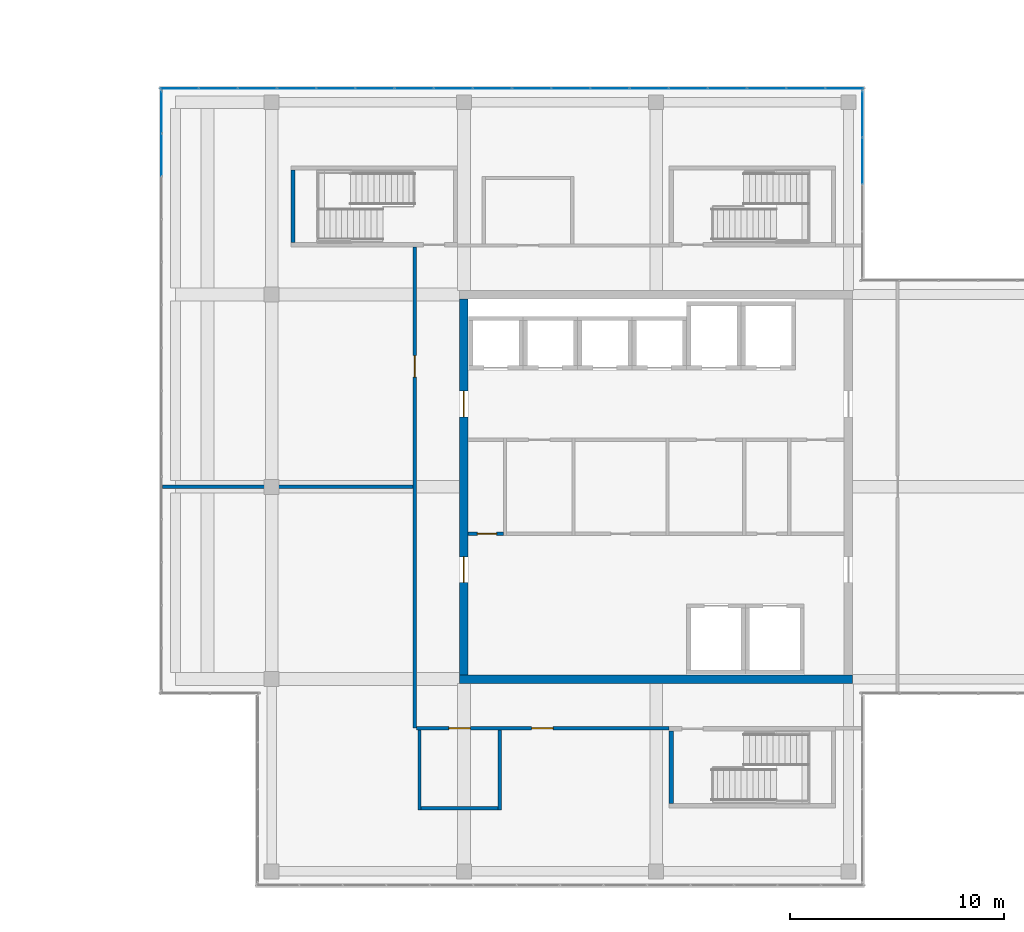
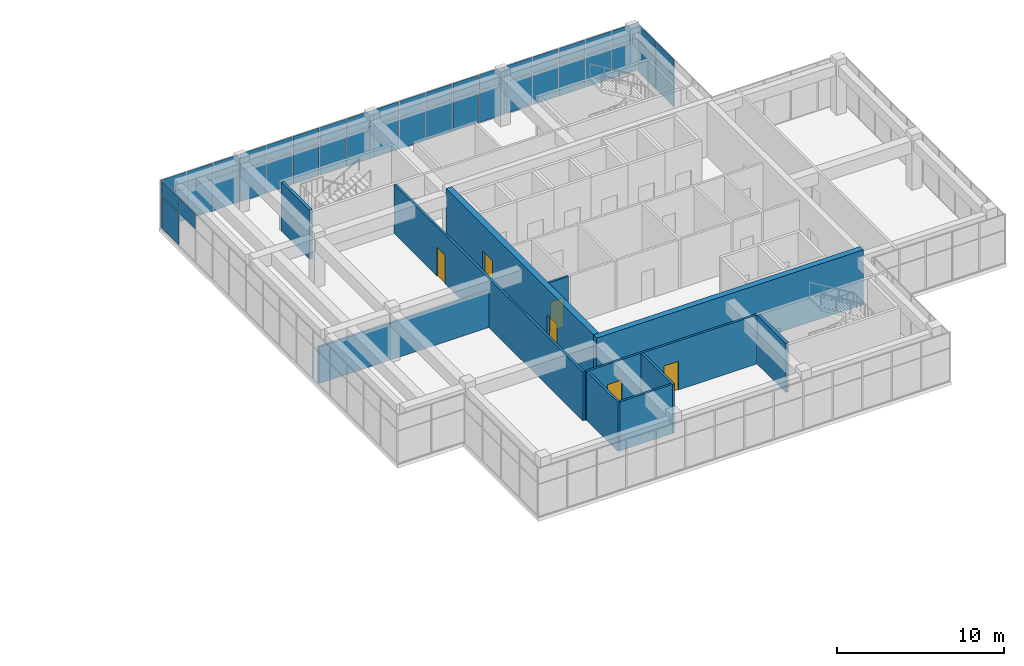
# One storey, part 28 of 32: 43 plates, 11 walls, 6 doors, 6 openings, 3 elements without a shape of their own.
"""IFC4 building model written with IfcOpenShell, lengths in metres."""

from ifc_helpers import new_model, si_unit, direction, frame, frame_2d, origin, origin_2d, place, context, subcontext, project, spatial, rectangle, extrude, material, layer, layer_set, type_object, element, fill, aggregate, save


model = new_model("IFC4")

# Units and contexts
model_context = context("Model", 3, precision=1e-05, world=origin(), true_north=direction((0.0, 1.0)))
body_context = subcontext(model_context, "Body", "Model", "MODEL_VIEW")
ifc_project = project(units=[si_unit("LENGTHUNIT", "METRE"), si_unit("AREAUNIT", "SQUARE_METRE"), si_unit("VOLUMEUNIT", "CUBIC_METRE"), si_unit("PLANEANGLEUNIT", "RADIAN"), si_unit("MASSUNIT", "GRAM", prefix="KILO")], contexts=[model_context])

# Site, building, storey
site_placement = place(None, origin())
site = spatial("IfcSite", under=ifc_project, at=site_placement, CompositionType="ELEMENT")
building_placement = place(site_placement, origin())
building = spatial("IfcBuilding", under=site, at=building_placement, Name="Tuart Plaza Theatre", CompositionType="ELEMENT")
storey_placement = place(building_placement, frame((0.0, 0.0, 37.5)))
storey = spatial("IfcBuildingStorey", under=building, at=storey_placement, Name="L09", CompositionType="ELEMENT", Elevation=37.5)

# Curtain wall, plates
ifc_material_1 = material(Name="Aluminium and glass", Category="aluminium")
ifc_layer_1 = layer(ifc_material_1, 0.10009765625)
ifc_layer_set_1 = layer_set([ifc_layer_1], Name="CURTAIN WALL 2000 module")
curtain_wall_type_1 = type_object("IfcCurtainWallType", Name="CURTAIN WALL 2000 module", PredefinedType="NOTDEFINED", material=ifc_layer_set_1)
curtain_wall_1_placement = place(storey_placement, origin())
curtain_wall_1 = element("IfcCurtainWall", 1, at=curtain_wall_1_placement, inside=storey, type_object=curtain_wall_type_1, Name="CW94", PredefinedType="NOTDEFINED")
ifc_material_2 = material(Name="Glass", Category="glass")
ifc_layer_2 = layer(ifc_material_2, 0.028076171875)
ifc_layer_set_2 = layer_set([ifc_layer_2], Name="CURTAIN PANEL double glazed 28")
plate_type = type_object("IfcPlateType", Name="CURTAIN PANEL double glazed 28", PredefinedType="CURTAIN_PANEL", material=ifc_layer_set_2)
plate_1_placement = place(storey_placement, frame((141.64990234375, 89.25, 0.0498046875), z_axis=(0.0, 0.0, 1.0), x_axis=(0.0, 1.0, 0.0)))
plate_1 = element("IfcPlate", 2, at=plate_1_placement, type_object=plate_type, Name="CW94 panel 3.1", PredefinedType="CURTAIN_PANEL", context=body_context, shape_type="SweptSolid", body=[
    extrude(rectangle(XDim=2.14990234375, YDim=0.028076171875, at=origin_2d()), origin(), (0.0, 0.0, 1.0), 2.324951171875),
])
plate_2_placement = place(storey_placement, frame((141.64990234375, 89.25, 2.425048828125), z_axis=(0.0, 0.0, 1.0), x_axis=(0.0, 1.0, 0.0)))
plate_2 = element("IfcPlate", 3, at=plate_2_placement, type_object=plate_type, Name="CW94 panel 3.2", PredefinedType="CURTAIN_PANEL", context=body_context, shape_type="SweptSolid", body=[
    extrude(rectangle(XDim=2.14990234375, YDim=0.028076171875, at=origin_2d()), origin(), (0.0, 0.0, 1.0), 1.10498046875),
])
plate_3_placement = place(storey_placement, frame((141.64990234375, 91.4375, 0.0498046875), z_axis=(0.0, 0.0, 1.0), x_axis=(0.0, 1.0, 0.0)))
plate_3 = element("IfcPlate", 4, at=plate_3_placement, type_object=plate_type, Name="CW94 panel 4.1", PredefinedType="CURTAIN_PANEL", context=body_context, shape_type="SweptSolid", body=[
    extrude(rectangle(XDim=2.125, YDim=0.028076171875, at=origin_2d()), origin(), (0.0, 0.0, 1.0), 2.324951171875),
])
plate_4_placement = place(storey_placement, frame((141.64990234375, 91.4375, 2.425048828125), z_axis=(0.0, 0.0, 1.0), x_axis=(0.0, 1.0, 0.0)))
plate_4 = element("IfcPlate", 5, at=plate_4_placement, type_object=plate_type, Name="CW94 panel 4.2", PredefinedType="CURTAIN_PANEL", context=body_context, shape_type="SweptSolid", body=[
    extrude(rectangle(XDim=2.125, YDim=0.028076171875, at=origin_2d()), origin(), (0.0, 0.0, 1.0), 1.10498046875),
])
aggregate(curtain_wall_1, [plate_1, plate_2, plate_3, plate_4])

ifc_material_3 = material(Name="Aluminium and glass", Category="aluminium")
ifc_layer_3 = layer(ifc_material_3, 0.10009765625)
ifc_layer_set_3 = layer_set([ifc_layer_3], Name="CURTAIN WALL 1800 module")
curtain_wall_type_2 = type_object("IfcCurtainWallType", Name="CURTAIN WALL 1800 module", PredefinedType="NOTDEFINED", material=ifc_layer_set_3)
curtain_wall_2_placement = place(storey_placement, origin())
curtain_wall_2 = element("IfcCurtainWall", 6, at=curtain_wall_2_placement, inside=storey, type_object=curtain_wall_type_2, Name="CW95", PredefinedType="NOTDEFINED")
plate_5_placement = place(storey_placement, frame((140.82080078125, 92.64990234375, 0.0498046875), z_axis=(0.0, 0.0, 1.0), x_axis=(-1.0, 0.0, 0.0)))
plate_5 = element("IfcPlate", 7, at=plate_5_placement, type_object=plate_type, Name="CW95 panel 1.1", PredefinedType="CURTAIN_PANEL", context=body_context, shape_type="SweptSolid", body=[
    extrude(rectangle(XDim=1.75830078125, YDim=0.028076171875, at=origin_2d()), origin(), (0.0, 0.0, 1.0), 2.324951171875),
])
plate_6_placement = place(storey_placement, frame((140.82080078125, 92.64990234375, 2.425048828125), z_axis=(0.0, 0.0, 1.0), x_axis=(-1.0, 0.0, 0.0)))
plate_6 = element("IfcPlate", 8, at=plate_6_placement, type_object=plate_type, Name="CW95 panel 1.2", PredefinedType="CURTAIN_PANEL", context=body_context, shape_type="SweptSolid", body=[
    extrude(rectangle(XDim=1.75830078125, YDim=0.028076171875, at=origin_2d()), origin(), (0.0, 0.0, 1.0), 1.10498046875),
])
plate_7_placement = place(storey_placement, frame((139.0, 92.64990234375, 0.0498046875), z_axis=(0.0, 0.0, 1.0), x_axis=(-1.0, 0.0, 0.0)))
plate_7 = element("IfcPlate", 9, at=plate_7_placement, type_object=plate_type, Name="CW95 panel 2.1", PredefinedType="CURTAIN_PANEL", context=body_context, shape_type="SweptSolid", body=[
    extrude(rectangle(XDim=1.783447265625, YDim=0.028076171875, at=origin_2d()), origin(), (0.0, 0.0, 1.0), 2.324951171875),
])
plate_8_placement = place(storey_placement, frame((139.0, 92.64990234375, 2.425048828125), z_axis=(0.0, 0.0, 1.0), x_axis=(-1.0, 0.0, 0.0)))
plate_8 = element("IfcPlate", 10, at=plate_8_placement, type_object=plate_type, Name="CW95 panel 2.2", PredefinedType="CURTAIN_PANEL", context=body_context, shape_type="SweptSolid", body=[
    extrude(rectangle(XDim=1.783447265625, YDim=0.028076171875, at=origin_2d()), origin(), (0.0, 0.0, 1.0), 1.10498046875),
])
plate_9_placement = place(storey_placement, frame((137.166748046875, 92.64990234375, 0.0498046875), z_axis=(0.0, 0.0, 1.0), x_axis=(-1.0, 0.0, 0.0)))
plate_9 = element("IfcPlate", 11, at=plate_9_placement, type_object=plate_type, Name="CW95 panel 3.1", PredefinedType="CURTAIN_PANEL", context=body_context, shape_type="SweptSolid", body=[
    extrude(rectangle(XDim=1.783447265625, YDim=0.028076171875, at=origin_2d()), origin(), (0.0, 0.0, 1.0), 2.324951171875),
])
plate_10_placement = place(storey_placement, frame((137.166748046875, 92.64990234375, 2.425048828125), z_axis=(0.0, 0.0, 1.0), x_axis=(-1.0, 0.0, 0.0)))
plate_10 = element("IfcPlate", 12, at=plate_10_placement, type_object=plate_type, Name="CW95 panel 3.2", PredefinedType="CURTAIN_PANEL", context=body_context, shape_type="SweptSolid", body=[
    extrude(rectangle(XDim=1.783447265625, YDim=0.028076171875, at=origin_2d()), origin(), (0.0, 0.0, 1.0), 1.10498046875),
])
plate_11_placement = place(storey_placement, frame((135.333251953125, 92.64990234375, 0.0498046875), z_axis=(0.0, 0.0, 1.0), x_axis=(-1.0, 0.0, 0.0)))
plate_11 = element("IfcPlate", 13, at=plate_11_placement, type_object=plate_type, Name="CW95 panel 4.1", PredefinedType="CURTAIN_PANEL", context=body_context, shape_type="SweptSolid", body=[
    extrude(rectangle(XDim=1.783447265625, YDim=0.028076171875, at=origin_2d()), origin(), (0.0, 0.0, 1.0), 2.324951171875),
])
plate_12_placement = place(storey_placement, frame((135.333251953125, 92.64990234375, 2.425048828125), z_axis=(0.0, 0.0, 1.0), x_axis=(-1.0, 0.0, 0.0)))
plate_12 = element("IfcPlate", 14, at=plate_12_placement, type_object=plate_type, Name="CW95 panel 4.2", PredefinedType="CURTAIN_PANEL", context=body_context, shape_type="SweptSolid", body=[
    extrude(rectangle(XDim=1.783447265625, YDim=0.028076171875, at=origin_2d()), origin(), (0.0, 0.0, 1.0), 1.10498046875),
])
plate_13_placement = place(storey_placement, frame((133.5, 92.64990234375, 0.0498046875), z_axis=(0.0, 0.0, 1.0), x_axis=(-1.0, 0.0, 0.0)))
plate_13 = element("IfcPlate", 15, at=plate_13_placement, type_object=plate_type, Name="CW95 panel 5.1", PredefinedType="CURTAIN_PANEL", context=body_context, shape_type="SweptSolid", body=[
    extrude(rectangle(XDim=1.783447265625, YDim=0.028076171875, at=origin_2d()), origin(), (0.0, 0.0, 1.0), 2.324951171875),
])
plate_14_placement = place(storey_placement, frame((133.5, 92.64990234375, 2.425048828125), z_axis=(0.0, 0.0, 1.0), x_axis=(-1.0, 0.0, 0.0)))
plate_14 = element("IfcPlate", 16, at=plate_14_placement, type_object=plate_type, Name="CW95 panel 5.2", PredefinedType="CURTAIN_PANEL", context=body_context, shape_type="SweptSolid", body=[
    extrude(rectangle(XDim=1.783447265625, YDim=0.028076171875, at=origin_2d()), origin(), (0.0, 0.0, 1.0), 1.10498046875),
])
plate_15_placement = place(storey_placement, frame((131.666748046875, 92.64990234375, 0.0498046875), z_axis=(0.0, 0.0, 1.0), x_axis=(-1.0, 0.0, 0.0)))
plate_15 = element("IfcPlate", 17, at=plate_15_placement, type_object=plate_type, Name="CW95 panel 6.1", PredefinedType="CURTAIN_PANEL", context=body_context, shape_type="SweptSolid", body=[
    extrude(rectangle(XDim=1.783447265625, YDim=0.028076171875, at=origin_2d()), origin(), (0.0, 0.0, 1.0), 2.324951171875),
])
plate_16_placement = place(storey_placement, frame((131.666748046875, 92.64990234375, 2.425048828125), z_axis=(0.0, 0.0, 1.0), x_axis=(-1.0, 0.0, 0.0)))
plate_16 = element("IfcPlate", 18, at=plate_16_placement, type_object=plate_type, Name="CW95 panel 6.2", PredefinedType="CURTAIN_PANEL", context=body_context, shape_type="SweptSolid", body=[
    extrude(rectangle(XDim=1.783447265625, YDim=0.028076171875, at=origin_2d()), origin(), (0.0, 0.0, 1.0), 1.10498046875),
])
plate_17_placement = place(storey_placement, frame((129.833251953125, 92.64990234375, 0.0498046875), z_axis=(0.0, 0.0, 1.0), x_axis=(-1.0, 0.0, 0.0)))
plate_17 = element("IfcPlate", 19, at=plate_17_placement, type_object=plate_type, Name="CW95 panel 7.1", PredefinedType="CURTAIN_PANEL", context=body_context, shape_type="SweptSolid", body=[
    extrude(rectangle(XDim=1.783447265625, YDim=0.028076171875, at=origin_2d()), origin(), (0.0, 0.0, 1.0), 2.324951171875),
])
plate_18_placement = place(storey_placement, frame((129.833251953125, 92.64990234375, 2.425048828125), z_axis=(0.0, 0.0, 1.0), x_axis=(-1.0, 0.0, 0.0)))
plate_18 = element("IfcPlate", 20, at=plate_18_placement, type_object=plate_type, Name="CW95 panel 7.2", PredefinedType="CURTAIN_PANEL", context=body_context, shape_type="SweptSolid", body=[
    extrude(rectangle(XDim=1.783447265625, YDim=0.028076171875, at=origin_2d()), origin(), (0.0, 0.0, 1.0), 1.10498046875),
])
plate_19_placement = place(storey_placement, frame((128.0, 92.64990234375, 0.0498046875), z_axis=(0.0, 0.0, 1.0), x_axis=(-1.0, 0.0, 0.0)))
plate_19 = element("IfcPlate", 21, at=plate_19_placement, type_object=plate_type, Name="CW95 panel 8.1", PredefinedType="CURTAIN_PANEL", context=body_context, shape_type="SweptSolid", body=[
    extrude(rectangle(XDim=1.783447265625, YDim=0.028076171875, at=origin_2d()), origin(), (0.0, 0.0, 1.0), 2.324951171875),
])
plate_20_placement = place(storey_placement, frame((128.0, 92.64990234375, 2.425048828125), z_axis=(0.0, 0.0, 1.0), x_axis=(-1.0, 0.0, 0.0)))
plate_20 = element("IfcPlate", 22, at=plate_20_placement, type_object=plate_type, Name="CW95 panel 8.2", PredefinedType="CURTAIN_PANEL", context=body_context, shape_type="SweptSolid", body=[
    extrude(rectangle(XDim=1.783447265625, YDim=0.028076171875, at=origin_2d()), origin(), (0.0, 0.0, 1.0), 1.10498046875),
])
plate_21_placement = place(storey_placement, frame((126.166748046875, 92.64990234375, 0.0498046875), z_axis=(0.0, 0.0, 1.0), x_axis=(-1.0, 0.0, 0.0)))
plate_21 = element("IfcPlate", 23, at=plate_21_placement, type_object=plate_type, Name="CW95 panel 9.1", PredefinedType="CURTAIN_PANEL", context=body_context, shape_type="SweptSolid", body=[
    extrude(rectangle(XDim=1.783447265625, YDim=0.028076171875, at=origin_2d()), origin(), (0.0, 0.0, 1.0), 2.324951171875),
])
plate_22_placement = place(storey_placement, frame((126.166748046875, 92.64990234375, 2.425048828125), z_axis=(0.0, 0.0, 1.0), x_axis=(-1.0, 0.0, 0.0)))
plate_22 = element("IfcPlate", 24, at=plate_22_placement, type_object=plate_type, Name="CW95 panel 9.2", PredefinedType="CURTAIN_PANEL", context=body_context, shape_type="SweptSolid", body=[
    extrude(rectangle(XDim=1.783447265625, YDim=0.028076171875, at=origin_2d()), origin(), (0.0, 0.0, 1.0), 1.10498046875),
])
plate_23_placement = place(storey_placement, frame((124.333251953125, 92.64990234375, 0.0498046875), z_axis=(0.0, 0.0, 1.0), x_axis=(-1.0, 0.0, 0.0)))
plate_23 = element("IfcPlate", 25, at=plate_23_placement, type_object=plate_type, Name="CW95 panel 10.1", PredefinedType="CURTAIN_PANEL", context=body_context, shape_type="SweptSolid", body=[
    extrude(rectangle(XDim=1.783447265625, YDim=0.028076171875, at=origin_2d()), origin(), (0.0, 0.0, 1.0), 2.324951171875),
])
plate_24_placement = place(storey_placement, frame((124.333251953125, 92.64990234375, 2.425048828125), z_axis=(0.0, 0.0, 1.0), x_axis=(-1.0, 0.0, 0.0)))
plate_24 = element("IfcPlate", 26, at=plate_24_placement, type_object=plate_type, Name="CW95 panel 10.2", PredefinedType="CURTAIN_PANEL", context=body_context, shape_type="SweptSolid", body=[
    extrude(rectangle(XDim=1.783447265625, YDim=0.028076171875, at=origin_2d()), origin(), (0.0, 0.0, 1.0), 1.10498046875),
])
plate_25_placement = place(storey_placement, frame((122.5, 92.64990234375, 0.0498046875), z_axis=(0.0, 0.0, 1.0), x_axis=(-1.0, 0.0, 0.0)))
plate_25 = element("IfcPlate", 27, at=plate_25_placement, type_object=plate_type, Name="CW95 panel 11.1", PredefinedType="CURTAIN_PANEL", context=body_context, shape_type="SweptSolid", body=[
    extrude(rectangle(XDim=1.783447265625, YDim=0.028076171875, at=origin_2d()), origin(), (0.0, 0.0, 1.0), 2.324951171875),
])
plate_26_placement = place(storey_placement, frame((122.5, 92.64990234375, 2.425048828125), z_axis=(0.0, 0.0, 1.0), x_axis=(-1.0, 0.0, 0.0)))
plate_26 = element("IfcPlate", 28, at=plate_26_placement, type_object=plate_type, Name="CW95 panel 11.2", PredefinedType="CURTAIN_PANEL", context=body_context, shape_type="SweptSolid", body=[
    extrude(rectangle(XDim=1.783447265625, YDim=0.028076171875, at=origin_2d()), origin(), (0.0, 0.0, 1.0), 1.10498046875),
])
plate_27_placement = place(storey_placement, frame((120.666748046875, 92.64990234375, 0.0498046875), z_axis=(0.0, 0.0, 1.0), x_axis=(-1.0, 0.0, 0.0)))
plate_27 = element("IfcPlate", 29, at=plate_27_placement, type_object=plate_type, Name="CW95 panel 12.1", PredefinedType="CURTAIN_PANEL", context=body_context, shape_type="SweptSolid", body=[
    extrude(rectangle(XDim=1.783447265625, YDim=0.028076171875, at=origin_2d()), origin(), (0.0, 0.0, 1.0), 2.324951171875),
])
plate_28_placement = place(storey_placement, frame((120.666748046875, 92.64990234375, 2.425048828125), z_axis=(0.0, 0.0, 1.0), x_axis=(-1.0, 0.0, 0.0)))
plate_28 = element("IfcPlate", 30, at=plate_28_placement, type_object=plate_type, Name="CW95 panel 12.2", PredefinedType="CURTAIN_PANEL", context=body_context, shape_type="SweptSolid", body=[
    extrude(rectangle(XDim=1.783447265625, YDim=0.028076171875, at=origin_2d()), origin(), (0.0, 0.0, 1.0), 1.10498046875),
])
plate_29_placement = place(storey_placement, frame((118.833251953125, 92.64990234375, 0.0498046875), z_axis=(0.0, 0.0, 1.0), x_axis=(-1.0, 0.0, 0.0)))
plate_29 = element("IfcPlate", 31, at=plate_29_placement, type_object=plate_type, Name="CW95 panel 13.1", PredefinedType="CURTAIN_PANEL", context=body_context, shape_type="SweptSolid", body=[
    extrude(rectangle(XDim=1.783447265625, YDim=0.028076171875, at=origin_2d()), origin(), (0.0, 0.0, 1.0), 2.324951171875),
])
plate_30_placement = place(storey_placement, frame((118.833251953125, 92.64990234375, 2.425048828125), z_axis=(0.0, 0.0, 1.0), x_axis=(-1.0, 0.0, 0.0)))
plate_30 = element("IfcPlate", 32, at=plate_30_placement, type_object=plate_type, Name="CW95 panel 13.2", PredefinedType="CURTAIN_PANEL", context=body_context, shape_type="SweptSolid", body=[
    extrude(rectangle(XDim=1.783447265625, YDim=0.028076171875, at=origin_2d()), origin(), (0.0, 0.0, 1.0), 1.10498046875),
])
plate_31_placement = place(storey_placement, frame((117.0, 92.64990234375, 0.0498046875), z_axis=(0.0, 0.0, 1.0), x_axis=(-1.0, 0.0, 0.0)))
plate_31 = element("IfcPlate", 33, at=plate_31_placement, type_object=plate_type, Name="CW95 panel 14.1", PredefinedType="CURTAIN_PANEL", context=body_context, shape_type="SweptSolid", body=[
    extrude(rectangle(XDim=1.783447265625, YDim=0.028076171875, at=origin_2d()), origin(), (0.0, 0.0, 1.0), 2.324951171875),
])
plate_32_placement = place(storey_placement, frame((117.0, 92.64990234375, 2.425048828125), z_axis=(0.0, 0.0, 1.0), x_axis=(-1.0, 0.0, 0.0)))
plate_32 = element("IfcPlate", 34, at=plate_32_placement, type_object=plate_type, Name="CW95 panel 14.2", PredefinedType="CURTAIN_PANEL", context=body_context, shape_type="SweptSolid", body=[
    extrude(rectangle(XDim=1.783447265625, YDim=0.028076171875, at=origin_2d()), origin(), (0.0, 0.0, 1.0), 1.10498046875),
])
plate_33_placement = place(storey_placement, frame((115.166748046875, 92.64990234375, 0.0498046875), z_axis=(0.0, 0.0, 1.0), x_axis=(-1.0, 0.0, 0.0)))
plate_33 = element("IfcPlate", 35, at=plate_33_placement, type_object=plate_type, Name="CW95 panel 15.1", PredefinedType="CURTAIN_PANEL", context=body_context, shape_type="SweptSolid", body=[
    extrude(rectangle(XDim=1.783447265625, YDim=0.028076171875, at=origin_2d()), origin(), (0.0, 0.0, 1.0), 2.324951171875),
])
plate_34_placement = place(storey_placement, frame((115.166748046875, 92.64990234375, 2.425048828125), z_axis=(0.0, 0.0, 1.0), x_axis=(-1.0, 0.0, 0.0)))
plate_34 = element("IfcPlate", 36, at=plate_34_placement, type_object=plate_type, Name="CW95 panel 15.2", PredefinedType="CURTAIN_PANEL", context=body_context, shape_type="SweptSolid", body=[
    extrude(rectangle(XDim=1.783447265625, YDim=0.028076171875, at=origin_2d()), origin(), (0.0, 0.0, 1.0), 1.10498046875),
])
plate_35_placement = place(storey_placement, frame((113.333251953125, 92.64990234375, 0.0498046875), z_axis=(0.0, 0.0, 1.0), x_axis=(-1.0, 0.0, 0.0)))
plate_35 = element("IfcPlate", 37, at=plate_35_placement, type_object=plate_type, Name="CW95 panel 16.1", PredefinedType="CURTAIN_PANEL", context=body_context, shape_type="SweptSolid", body=[
    extrude(rectangle(XDim=1.783447265625, YDim=0.028076171875, at=origin_2d()), origin(), (0.0, 0.0, 1.0), 2.324951171875),
])
plate_36_placement = place(storey_placement, frame((113.333251953125, 92.64990234375, 2.425048828125), z_axis=(0.0, 0.0, 1.0), x_axis=(-1.0, 0.0, 0.0)))
plate_36 = element("IfcPlate", 38, at=plate_36_placement, type_object=plate_type, Name="CW95 panel 16.2", PredefinedType="CURTAIN_PANEL", context=body_context, shape_type="SweptSolid", body=[
    extrude(rectangle(XDim=1.783447265625, YDim=0.028076171875, at=origin_2d()), origin(), (0.0, 0.0, 1.0), 1.10498046875),
])
plate_37_placement = place(storey_placement, frame((111.5, 92.64990234375, 0.0498046875), z_axis=(0.0, 0.0, 1.0), x_axis=(-1.0, 0.0, 0.0)))
plate_37 = element("IfcPlate", 39, at=plate_37_placement, type_object=plate_type, Name="CW95 panel 17.1", PredefinedType="CURTAIN_PANEL", context=body_context, shape_type="SweptSolid", body=[
    extrude(rectangle(XDim=1.783447265625, YDim=0.028076171875, at=origin_2d()), origin(), (0.0, 0.0, 1.0), 2.324951171875),
])
plate_38_placement = place(storey_placement, frame((111.5, 92.64990234375, 2.425048828125), z_axis=(0.0, 0.0, 1.0), x_axis=(-1.0, 0.0, 0.0)))
plate_38 = element("IfcPlate", 40, at=plate_38_placement, type_object=plate_type, Name="CW95 panel 17.2", PredefinedType="CURTAIN_PANEL", context=body_context, shape_type="SweptSolid", body=[
    extrude(rectangle(XDim=1.783447265625, YDim=0.028076171875, at=origin_2d()), origin(), (0.0, 0.0, 1.0), 1.10498046875),
])
plate_39_placement = place(storey_placement, frame((109.67919921875, 92.64990234375, 0.0498046875), z_axis=(0.0, 0.0, 1.0), x_axis=(-1.0, 0.0, 0.0)))
plate_39 = element("IfcPlate", 41, at=plate_39_placement, type_object=plate_type, Name="CW95 panel 18.1", PredefinedType="CURTAIN_PANEL", context=body_context, shape_type="SweptSolid", body=[
    extrude(rectangle(XDim=1.75830078125, YDim=0.028076171875, at=origin_2d()), origin(), (0.0, 0.0, 1.0), 2.324951171875),
])
plate_40_placement = place(storey_placement, frame((109.67919921875, 92.64990234375, 2.425048828125), z_axis=(0.0, 0.0, 1.0), x_axis=(-1.0, 0.0, 0.0)))
plate_40 = element("IfcPlate", 42, at=plate_40_placement, type_object=plate_type, Name="CW95 panel 18.2", PredefinedType="CURTAIN_PANEL", context=body_context, shape_type="SweptSolid", body=[
    extrude(rectangle(XDim=1.75830078125, YDim=0.028076171875, at=origin_2d()), origin(), (0.0, 0.0, 1.0), 1.10498046875),
])
aggregate(curtain_wall_2, [plate_5, plate_6, plate_7, plate_8, plate_9, plate_10, plate_11, plate_12, plate_13, plate_14, plate_15, plate_16, plate_17, plate_18, plate_19, plate_20, plate_21, plate_22, plate_23, plate_24, plate_25, plate_26, plate_27, plate_28, plate_29, plate_30, plate_31, plate_32, plate_33, plate_34, plate_35, plate_36, plate_37, plate_38, plate_39, plate_40])

curtain_wall_3_placement = place(storey_placement, origin())
curtain_wall_3 = element("IfcCurtainWall", 43, at=curtain_wall_3_placement, inside=storey, type_object=curtain_wall_type_1, Name="CW97", PredefinedType="NOTDEFINED")
plate_41_placement = place(storey_placement, frame((108.85009765625, 91.533935546875, 0.0498046875), z_axis=(0.0, 0.0, 1.0), x_axis=(0.0, -1.0, 0.0)))
plate_41 = element("IfcPlate", 44, at=plate_41_placement, type_object=plate_type, Name="CW97 panel 1.1", PredefinedType="CURTAIN_PANEL", context=body_context, shape_type="SweptSolid", body=[
    extrude(rectangle(XDim=1.93212890625, YDim=0.028076171875, at=origin_2d()), origin(), (0.0, 0.0, 1.0), 2.324951171875),
])
plate_42_placement = place(storey_placement, frame((108.85009765625, 91.533935546875, 2.425048828125), z_axis=(0.0, 0.0, 1.0), x_axis=(0.0, -1.0, 0.0)))
plate_42 = element("IfcPlate", 45, at=plate_42_placement, type_object=plate_type, Name="CW97 panel 1.2", PredefinedType="CURTAIN_PANEL", context=body_context, shape_type="SweptSolid", body=[
    extrude(rectangle(XDim=1.93212890625, YDim=0.028076171875, at=origin_2d()), origin(), (0.0, 0.0, 1.0), 1.10498046875),
])
plate_43_placement = place(storey_placement, frame((108.85009765625, 89.539306640625, 2.425048828125), z_axis=(0.0, 0.0, 1.0), x_axis=(0.0, -1.0, 0.0)))
plate_43 = element("IfcPlate", 46, at=plate_43_placement, type_object=plate_type, Name="CW97 panel 2.2", PredefinedType="CURTAIN_PANEL", context=body_context, shape_type="SweptSolid", body=[
    extrude(rectangle(XDim=1.95703125, YDim=0.028076171875, at=origin_2d()), origin(), (0.0, 0.0, 1.0), 1.10498046875),
])
aggregate(curtain_wall_3, [plate_41, plate_42, plate_43])

# Wall, opening, door
ifc_material_4 = material(Name="Masonry block", Category="masonry")
ifc_layer_4 = layer(ifc_material_4, 0.14990234375)
ifc_layer_set_4 = layer_set([ifc_layer_4], Name="PARTITION BLK150 MASONRYB FRL -/120/120")
wall_type_1 = type_object("IfcWallType", Name="PARTITION BLK150 MASONRYB FRL -/120/120", PredefinedType="PARTITIONING", material=ifc_layer_set_4)
wall_1_placement = place(storey_placement, frame((123.199951171875, 71.800048828125, 0.0), z_axis=(0.0, 0.0, 1.0), x_axis=(1.0, 0.0, 0.0)))
wall_1 = element("IfcWall", 47, at=wall_1_placement, inside=storey, type_object=wall_type_1, Name="P637", PredefinedType="PARTITIONING", context=body_context, shape_type="SweptSolid", body=[
    extrude(rectangle(XDim=1.650146484375, YDim=0.14990234375, at=frame_2d((0.8251953125, 0.0))), origin(), (0.0, 0.0, 1.0), 3.580078125),
])
opening_1_placement = place(wall_1_placement, frame((0.425048828125, 0.0, 0.0)))
opening_1 = element("IfcOpeningElement", 48, at=opening_1_placement, cuts=wall_1, Name="Opening L09-016", PredefinedType="OPENING", context=body_context, shape_type="SweptSolid", body=[
    extrude(rectangle(XDim=0.89990234375, YDim=2.10009765625, at=frame_2d((0.449951171875, 1.050048828125))), frame((0.0, 0.0849609375, 0.0), z_axis=(0.0, -1.0, 0.0), x_axis=(1.0, 0.0, 0.0)), (0.0, 0.0, 1.0), 0.169921875),
])
ifc_material_5 = material(Name="Steel Grade 300", Category="steel")
door_type_1 = type_object("IfcDoorType", Name="DOOR 900x2100 steel single swing FRL -/120/30", OperationType="SINGLE_SWING_LEFT", PredefinedType="DOOR", material=ifc_material_5)
door_1_placement = place(opening_1_placement, origin())
door_1 = element("IfcDoor", 49, at=door_1_placement, inside=storey, type_object=door_type_1, Name="L09-016", OperationType="SINGLE_SWING_LEFT", OverallHeight=2.10009765625, OverallWidth=0.89990234375, PredefinedType="DOOR", context=body_context, shape_type="SweptSolid", body=[
    extrude(rectangle(XDim=0.89990234375, YDim=2.10009765625, at=frame_2d((0.449951171875, 1.050048828125))), frame((0.0, 0.02490234375, 0.0), z_axis=(0.0, -1.0, 0.0), x_axis=(1.0, 0.0, 0.0)), (0.0, 0.0, 1.0), 0.050048828125),
])
fill(opening_1, door_1)

ifc_material_6 = material(Name="Masonry block", Category="masonry")
ifc_layer_5 = layer(ifc_material_6, 0.14990234375)
ifc_layer_set_5 = layer_set([ifc_layer_5], Name="PARTITION BLK150 MASONRYB FRL 120/-/-")
wall_type_2 = type_object("IfcWallType", Name="PARTITION BLK150 MASONRYB FRL 120/-/-", PredefinedType="PARTITIONING", material=ifc_layer_set_5)
wall_2_placement = place(storey_placement, frame((120.699951171875, 62.699951171875, 0.0), z_axis=(0.0, 0.0, 1.0), x_axis=(0.0, 1.0, 0.0)))
wall_2 = element("IfcWall", 50, at=wall_2_placement, inside=storey, type_object=wall_type_2, Name="P653", PredefinedType="PARTITIONING", context=body_context, shape_type="SweptSolid", body=[
    extrude(rectangle(XDim=22.525146484375, YDim=0.14990234375, at=frame_2d((11.2626953125, 0.0))), origin(), (0.0, 0.0, 1.0), 3.580078125),
])
opening_2_placement = place(wall_2_placement, frame((16.43505859375, 0.0, 0.0)))
opening_2 = element("IfcOpeningElement", 51, at=opening_2_placement, cuts=wall_2, Name="Opening L09-026", PredefinedType="OPENING", context=body_context, shape_type="SweptSolid", body=[
    extrude(rectangle(XDim=1.0, YDim=2.10009765625, at=frame_2d((0.5, 1.050048828125))), frame((0.0, 0.0849609375, 0.0), z_axis=(0.0, -1.0, 0.0), x_axis=(1.0, 0.0, 0.0)), (0.0, 0.0, 1.0), 0.169921875),
])
ifc_material_7 = material(Name="Timber", Category="wood")
door_type_2 = type_object("IfcDoorType", Name="DOOR 1000x2100 timber single swing FRL -/60/30", OperationType="SINGLE_SWING_LEFT", PredefinedType="DOOR", material=ifc_material_7)
door_2_placement = place(opening_2_placement, origin())
door_2 = element("IfcDoor", 52, at=door_2_placement, inside=storey, type_object=door_type_2, Name="L09-026", OperationType="SINGLE_SWING_LEFT", OverallHeight=2.10009765625, OverallWidth=1.0, PredefinedType="DOOR", context=body_context, shape_type="SweptSolid", body=[
    extrude(rectangle(XDim=1.0, YDim=2.10009765625, at=frame_2d((0.5, 1.050048828125))), frame((0.0, 0.02490234375, 0.0), z_axis=(0.0, -1.0, 0.0), x_axis=(1.0, 0.0, 0.0)), (0.0, 0.0, 1.0), 0.050048828125),
])
fill(opening_2, door_2)

# Wall, openings, doors
wall_3_placement = place(storey_placement, frame((132.60009765625, 62.699951171875, 0.0), z_axis=(0.0, 0.0, 1.0), x_axis=(-1.0, 0.0, 0.0)))
wall_3 = element("IfcWall", 53, at=wall_3_placement, inside=storey, type_object=wall_type_2, Name="P654", PredefinedType="PARTITIONING", context=body_context, shape_type="SweptSolid", body=[
    extrude(rectangle(XDim=11.8251953125, YDim=0.14990234375, at=frame_2d((5.91259765625, 0.0))), origin(), (0.0, 0.0, 1.0), 3.580078125),
])
opening_3_placement = place(wall_3_placement, frame((9.300048828125, 0.0, 0.0)))
opening_3 = element("IfcOpeningElement", 54, at=opening_3_placement, cuts=wall_3, Name="Opening L09-022", PredefinedType="OPENING", context=body_context, shape_type="SweptSolid", body=[
    extrude(rectangle(XDim=1.0, YDim=2.10009765625, at=frame_2d((0.5, 1.050048828125))), frame((0.0, 0.0849609375, 0.0), z_axis=(0.0, -1.0, 0.0), x_axis=(1.0, 0.0, 0.0)), (0.0, 0.0, 1.0), 0.169921875),
])
opening_4_placement = place(wall_3_placement, frame((5.427490234375, 0.0, 0.0)))
opening_4 = element("IfcOpeningElement", 55, at=opening_4_placement, cuts=wall_3, Name="Opening L09-024", PredefinedType="OPENING", context=body_context, shape_type="SweptSolid", body=[
    extrude(rectangle(XDim=1.0, YDim=2.10009765625, at=frame_2d((0.5, 1.050048828125))), frame((0.0, 0.0849609375, 0.0), z_axis=(0.0, -1.0, 0.0), x_axis=(1.0, 0.0, 0.0)), (0.0, 0.0, 1.0), 0.169921875),
])
door_3_placement = place(opening_3_placement, origin())
door_3 = element("IfcDoor", 56, at=door_3_placement, inside=storey, type_object=door_type_2, Name="L09-022", OperationType="SINGLE_SWING_LEFT", OverallHeight=2.10009765625, OverallWidth=1.0, PredefinedType="DOOR", context=body_context, shape_type="SweptSolid", body=[
    extrude(rectangle(XDim=1.0, YDim=2.10009765625, at=frame_2d((0.5, 1.050048828125))), frame((0.0, 0.02490234375, 0.0), z_axis=(0.0, -1.0, 0.0), x_axis=(1.0, 0.0, 0.0)), (0.0, 0.0, 1.0), 0.050048828125),
])
fill(opening_3, door_3)
door_4_placement = place(opening_4_placement, origin())
door_4 = element("IfcDoor", 57, at=door_4_placement, inside=storey, type_object=door_type_2, Name="L09-024", OperationType="SINGLE_SWING_LEFT", OverallHeight=2.10009765625, OverallWidth=1.0, PredefinedType="DOOR", context=body_context, shape_type="SweptSolid", body=[
    extrude(rectangle(XDim=1.0, YDim=2.10009765625, at=frame_2d((0.5, 1.050048828125))), frame((0.0, 0.02490234375, 0.0), z_axis=(0.0, -1.0, 0.0), x_axis=(1.0, 0.0, 0.0)), (0.0, 0.0, 1.0), 0.050048828125),
])
fill(opening_4, door_4)

# Walls
wall_4_placement = place(storey_placement, frame((108.89990234375, 74.0, 0.0), z_axis=(0.0, 0.0, 1.0), x_axis=(1.0, 0.0, 0.0)))
element("IfcWall", 58, at=wall_4_placement, inside=storey, type_object=wall_type_2, Name="P659", PredefinedType="PARTITIONING", context=body_context, shape_type="SweptSolid", body=[
    extrude(rectangle(XDim=11.72607421875, YDim=0.14990234375, at=frame_2d((5.863037109375, 0.0))), origin(), (0.0, 0.0, 1.0), 2.679931640625),
])
wall_5_placement = place(storey_placement, frame((121.0, 58.949951171875, 0.0), z_axis=(0.0, 0.0, 1.0), x_axis=(1.0, 0.0, 0.0)))
element("IfcWall", 59, at=wall_5_placement, inside=storey, type_object=wall_type_2, Name="P660", PredefinedType="PARTITIONING", context=body_context, shape_type="SweptSolid", body=[
    extrude(rectangle(XDim=3.60009765625, YDim=0.14990234375, at=frame_2d((1.800048828125, 0.0))), origin(), (0.0, 0.0, 1.0), 3.580078125),
])
for number, where, z_axis, x_axis, name in (
    (60, (120.925048828125, 62.625, 0.0), (0.0, 0.0, 1.0), (0.0, -1.0, 0.0), "P661"),
    (61, (124.675048828125, 62.625, 0.0), (0.0, 0.0, 1.0), (0.0, -1.0, 0.0), "P662"),
):
    element("IfcWall", number, at=place(storey_placement, frame(where, z_axis=z_axis, x_axis=x_axis)), inside=storey, type_object=wall_type_2, Name=name, PredefinedType="PARTITIONING", context=body_context, shape_type="SweptSolid", body=[
        extrude(rectangle(XDim=3.75, YDim=0.14990234375, at=frame_2d((1.875, 0.0))), origin(), (0.0, 0.0, 1.0), 3.580078125),
    ])
ifc_material_8 = material(Name="Concrete N40 (40 MPa)", Category="concrete")
ifc_layer_6 = layer(ifc_material_8, 0.199951171875)
ifc_layer_set_6 = layer_set([ifc_layer_6], Name="SHEAR WALL RC200 FRL 120/120/120")
wall_type_3 = type_object("IfcWallType", Name="SHEAR WALL RC200 FRL 120/120/120", PredefinedType="SHEAR", material=ifc_layer_set_6)
for number, where, z_axis, x_axis, name in (
    (62, (132.699951171875, 62.574951171875, 0.0), (0.0, 0.0, 1.0), (0.0, -1.0, 0.0), "P407"),
    (63, (115.0, 88.824951171875, 0.0), (0.0, 0.0, 1.0), (0.0, -1.0, 0.0), "P463"),
):
    element("IfcWall", number, at=place(storey_placement, frame(where, z_axis=z_axis, x_axis=x_axis)), inside=storey, type_object=wall_type_3, Name=name, PredefinedType="SHEAR", context=body_context, shape_type="SweptSolid", body=[
        extrude(rectangle(XDim=3.39990234375, YDim=0.199951171875, at=frame_2d((1.699951171875, 0.0))), origin(), (0.0, 0.0, 1.0), 3.580078125),
    ])
ifc_material_9 = material(Name="Concrete N50 (50 MPa)", Category="concrete")
ifc_layer_7 = layer(ifc_material_9, 0.39990234375)
ifc_layer_set_7 = layer_set([ifc_layer_7], Name="SHEAR WALL RC400 N50 FRL 120/120/120")
wall_type_4 = type_object("IfcWallType", Name="SHEAR WALL RC400 N50 FRL 120/120/120", PredefinedType="SHEAR", material=ifc_layer_set_7)
wall_6_placement = place(storey_placement, frame((122.800048828125, 65.0, 0.0), z_axis=(0.0, 0.0, 1.0), x_axis=(1.0, 0.0, 0.0)))
element("IfcWall", 64, at=wall_6_placement, inside=storey, type_object=wall_type_4, Name="W395", PredefinedType="SHEAR", context=body_context, shape_type="SweptSolid", body=[
    extrude(rectangle(XDim=18.39990234375, YDim=0.39990234375, at=frame_2d((9.199951171875, 0.0))), origin(), (0.0, 0.0, 1.0), 4.0),
])

# Wall, openings, doors
wall_7_placement = place(storey_placement, frame((123.0, 82.800048828125, 0.0), z_axis=(0.0, 0.0, 1.0), x_axis=(0.0, -1.0, 0.0)))
wall_7 = element("IfcWall", 65, at=wall_7_placement, inside=storey, type_object=wall_type_4, Name="W398", PredefinedType="SHEAR", context=body_context, shape_type="SweptSolid", body=[
    extrude(rectangle(XDim=17.60009765625, YDim=0.39990234375, at=frame_2d((8.800048828125, 0.0))), origin(), (0.0, 0.0, 1.0), 4.0),
])
opening_5_placement = place(wall_7_placement, frame((12.074951171875, 0.0, 0.0)))
opening_5 = element("IfcOpeningElement", 66, at=opening_5_placement, cuts=wall_7, Name="Opening L09-012", PredefinedType="OPENING", context=body_context, shape_type="SweptSolid", body=[
    extrude(rectangle(XDim=1.199951171875, YDim=2.10009765625, at=frame_2d((0.60009765625, 1.050048828125))), frame((0.0, 0.2099609375, 0.0), z_axis=(0.0, -1.0, 0.0), x_axis=(1.0, 0.0, 0.0)), (0.0, 0.0, 1.0), 0.419921875),
])
opening_6_placement = place(wall_7_placement, frame((4.324951171875, 0.0, 0.0)))
opening_6 = element("IfcOpeningElement", 67, at=opening_6_placement, cuts=wall_7, Name="Opening L09-014", PredefinedType="OPENING", context=body_context, shape_type="SweptSolid", body=[
    extrude(rectangle(XDim=1.199951171875, YDim=2.10009765625, at=frame_2d((0.60009765625, 1.050048828125))), frame((0.0, 0.2099609375, 0.0), z_axis=(0.0, -1.0, 0.0), x_axis=(1.0, 0.0, 0.0)), (0.0, 0.0, 1.0), 0.419921875),
])
ifc_material_10 = material(Name="Steel Grade 300", Category="steel")
door_type_3 = type_object("IfcDoorType", Name="DOOR 1200x2100 steel single swing FRL -/120/30", OperationType="SINGLE_SWING_LEFT", PredefinedType="DOOR", material=ifc_material_10)
door_5_placement = place(opening_5_placement, frame((1.199951171875, 0.0, 0.0), z_axis=(0.0, 0.0, 1.0), x_axis=(-1.0, 0.0, 0.0)))
door_5 = element("IfcDoor", 68, at=door_5_placement, inside=storey, type_object=door_type_3, Name="L09-012", OperationType="SINGLE_SWING_RIGHT", OverallHeight=2.10009765625, OverallWidth=1.199951171875, PredefinedType="DOOR", context=body_context, shape_type="SweptSolid", body=[
    extrude(rectangle(XDim=1.199951171875, YDim=2.10009765625, at=frame_2d((0.60009765625, 1.050048828125))), frame((0.0, 0.02490234375, 0.0), z_axis=(0.0, -1.0, 0.0), x_axis=(1.0, 0.0, 0.0)), (0.0, 0.0, 1.0), 0.050048828125),
])
fill(opening_5, door_5)
door_6_placement = place(opening_6_placement, frame((1.199951171875, 0.0, 0.0), z_axis=(0.0, 0.0, 1.0), x_axis=(-1.0, 0.0, 0.0)))
door_6 = element("IfcDoor", 69, at=door_6_placement, inside=storey, type_object=door_type_3, Name="L09-014", OperationType="SINGLE_SWING_LEFT", OverallHeight=2.10009765625, OverallWidth=1.199951171875, PredefinedType="DOOR", context=body_context, shape_type="SweptSolid", body=[
    extrude(rectangle(XDim=1.199951171875, YDim=2.10009765625, at=frame_2d((0.60009765625, 1.050048828125))), frame((0.0, 0.02490234375, 0.0), z_axis=(0.0, -1.0, 0.0), x_axis=(1.0, 0.0, 0.0)), (0.0, 0.0, 1.0), 0.050048828125),
])
fill(opening_6, door_6)

save(model, "model.ifc")
